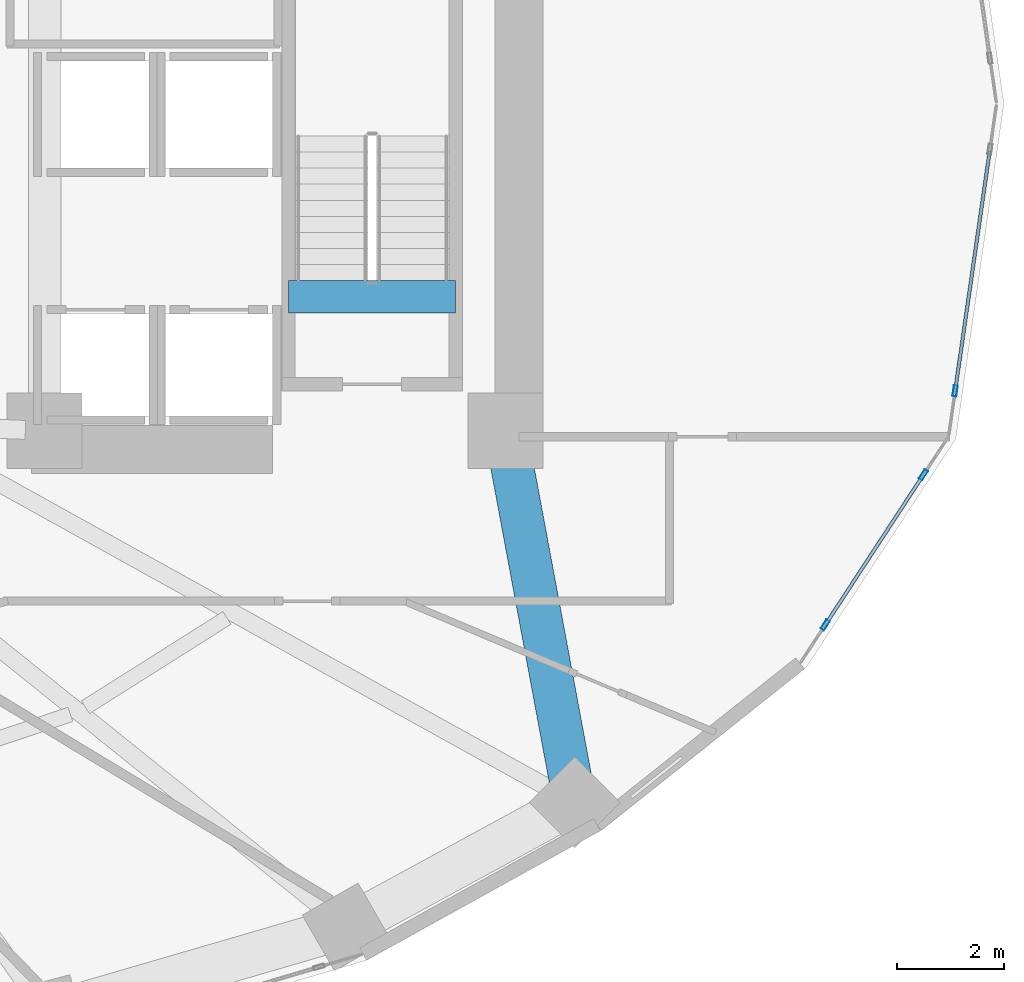
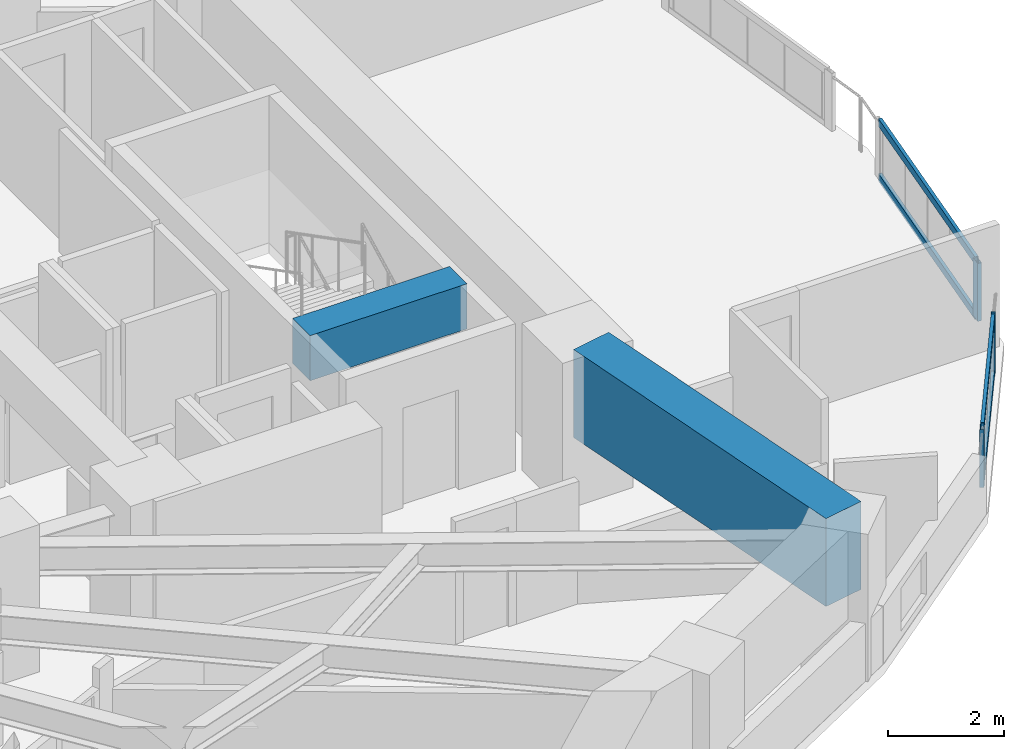
# One storey, part 7 of 22: 7 members, 2 beams, 2 elements without a shape of their own.
"""IFC4 building model written with IfcOpenShell, lengths in metres."""

from ifc_helpers import new_model, si_unit, direction, frame, origin, origin_2d, place, context, subcontext, project, spatial, rectangle, hollow_rectangle, extrude, material, layer, layer_set, material_profile, profile_set, type_object, element, aggregate, save


model = new_model("IFC4")

# Units and contexts
model_context = context("Model", 3, precision=1e-05, world=origin(), true_north=direction((0.0, 1.0)))
body_context = subcontext(model_context, "Body", "Model", "MODEL_VIEW")
ifc_project = project(units=[si_unit("LENGTHUNIT", "METRE"), si_unit("AREAUNIT", "SQUARE_METRE"), si_unit("VOLUMEUNIT", "CUBIC_METRE"), si_unit("PLANEANGLEUNIT", "RADIAN"), si_unit("MASSUNIT", "GRAM", prefix="KILO")], contexts=[model_context])

# Site, building, storey
site_placement = place(None, origin())
site = spatial("IfcSite", under=ifc_project, at=site_placement, CompositionType="ELEMENT")
building_placement = place(site_placement, origin())
building = spatial("IfcBuilding", under=site, at=building_placement, Name="Solvane Sanctuary Tower", CompositionType="ELEMENT")
storey_placement = place(building_placement, frame((0.0, 0.0, 43.10009765625)))
storey = spatial("IfcBuildingStorey", under=building, at=storey_placement, Name="L12", CompositionType="ELEMENT", Elevation=43.10009765625)

# Beams
ifc_material_1 = material(Name="Concrete C70/85", Category="concrete")
ifc_material_profile_1 = material_profile(ifc_material_1, rectangle(XDim=0.60009765625, YDim=0.949951171875, at=origin_2d()), Name="RC600X950")
ifc_profile_set_1 = profile_set([ifc_material_profile_1], Name="Concrete C70/85")
beam_type_1 = type_object("IfcBeamType", Name="Beam B-COUPLE RC600X950", PredefinedType="LINTEL", material=ifc_profile_set_1)
beam_1_placement = place(storey_placement, frame((44.64990234375, 19.399169921875, 2.625), z_axis=(1.0, 0.0, 0.0), x_axis=(0.0, 1.0, 0.0)))
element("IfcBeam", 1, at=beam_1_placement, inside=storey, type_object=beam_type_1, Name="L12 ST-2 Stair Floor Landing Trimmer", PredefinedType="LINTEL", context=body_context, shape_type="SweptSolid", body=[
    extrude(rectangle(XDim=0.60009765625, YDim=0.949951171875, at=origin_2d()), origin(), (0.0, 0.0, 1.0), 3.1201171875),
])
ifc_material_profile_2 = material_profile(ifc_material_1, rectangle(XDim=0.800048828125, YDim=1.85009765625, at=origin_2d()), Name="RC800X1850")
ifc_profile_set_2 = profile_set([ifc_material_profile_2], Name="Concrete C70/85")
beam_type_2 = type_object("IfcBeamType", Name="Beam B-XFER-BLK RC800X1850", PredefinedType="BEAM", material=ifc_profile_set_2)
beam_2_placement = place(storey_placement, frame((49.99169921875, 9.964599609375, 2.1748046875), z_axis=(-0.183103823442, 0.983093581426, 0.0), x_axis=(-0.983093581426, -0.183103823442, 0.0)))
element("IfcBeam", 2, at=beam_2_placement, inside=storey, type_object=beam_type_2, Name="L12 Perimeter Step Transfer Ring NTC14-CE2", PredefinedType="BEAM", context=body_context, shape_type="SweptSolid", body=[
    extrude(rectangle(XDim=0.800048828125, YDim=1.85009765625, at=origin_2d()), origin(), (0.0, 0.0, 1.0), 6.69482421875),
])

# Curtain wall, members
ifc_material_2 = material(Name="Anodised Aluminium 6063-T6", Category="aluminium")
ifc_layer = layer(ifc_material_2, 0.2099609375, Name="Anodised Aluminium 6063-T6")
ifc_layer_set = layer_set([ifc_layer], Name="Anodised Aluminium 6063-T6")
curtain_wall_type = type_object("IfcCurtainWallType", Name="Curtain Wall CW-PORTAL", PredefinedType="NOTDEFINED", material=ifc_layer_set)
curtain_wall_1_placement = place(storey_placement, origin())
curtain_wall_1 = element("IfcCurtainWall", 3, at=curtain_wall_1_placement, inside=storey, type_object=curtain_wall_type, Name="L12 CW-PORTAL Facade Run 22", PredefinedType="NOTDEFINED")
ifc_material_profile_3 = material_profile(ifc_material_2, hollow_rectangle(XDim=0.074951171875, YDim=0.199951171875, WallThickness=0.00390625, at=origin_2d()), Name="ALU200X75X4")
ifc_profile_set_3 = profile_set([ifc_material_profile_3], Name="Anodised Aluminium 6063-T6")
member_type_1 = type_object("IfcMemberType", Name="Member M-CW-MUL-1 ALU200X75X4", PredefinedType="MULLION", material=ifc_profile_set_3)
member_1_placement = place(storey_placement, frame((54.663330078125, 13.2763671875, 0.0), z_axis=(0.0, 0.0, 1.0), x_axis=(-0.836673521159, 0.547701943571, 0.0)))
member_1 = element("IfcMember", 4, at=member_1_placement, type_object=member_type_1, Name="CW-PORTAL mullion 1", PredefinedType="MULLION", context=body_context, shape_type="SweptSolid", body=[
    extrude(hollow_rectangle(XDim=0.074951171875, YDim=0.199951171875, WallThickness=0.00390625, at=origin_2d()), origin(), (0.0, 0.0, 1.0), 1.219970703125),
])
member_2_placement = place(storey_placement, frame((56.496826171875, 16.0771484375, 0.0), z_axis=(0.0, 0.0, 1.0), x_axis=(-0.836673521159, 0.547701943571, 0.0)))
member_2 = element("IfcMember", 5, at=member_2_placement, type_object=member_type_1, Name="CW-PORTAL mullion 2", PredefinedType="MULLION", context=body_context, shape_type="SweptSolid", body=[
    extrude(hollow_rectangle(XDim=0.074951171875, YDim=0.199951171875, WallThickness=0.00390625, at=origin_2d()), origin(), (0.0, 0.0, 1.0), 1.219970703125),
])

# Curtain wall, member
curtain_wall_2_placement = place(storey_placement, origin())
curtain_wall_2 = element("IfcCurtainWall", 6, at=curtain_wall_2_placement, inside=storey, type_object=curtain_wall_type, Name="L12 CW-PORTAL Facade Run 23", PredefinedType="NOTDEFINED")
member_3_placement = place(storey_placement, frame((57.088623046875, 17.643310546875, 0.0), z_axis=(0.0, 0.0, 1.0), x_axis=(-0.989794236162, 0.142503929979, 0.0)))
member_3 = element("IfcMember", 7, at=member_3_placement, type_object=member_type_1, Name="CW-PORTAL mullion 1", PredefinedType="MULLION", context=body_context, shape_type="SweptSolid", body=[
    extrude(hollow_rectangle(XDim=0.074951171875, YDim=0.199951171875, WallThickness=0.00390625, at=origin_2d()), origin(), (0.0, 0.0, 1.0), 1.219970703125),
])

# Member
ifc_material_profile_4 = material_profile(ifc_material_2, hollow_rectangle(XDim=0.06494140625, YDim=0.159912109375, WallThickness=0.00341796875, at=origin_2d()), Name="ALU160X65X3.5")
ifc_profile_set_4 = profile_set([ifc_material_profile_4], Name="Anodised Aluminium 6063-T6")
member_type_2 = type_object("IfcMemberType", Name="Member M-CW-TRN-1 ALU160X65X3.5", PredefinedType="USERDEFINED", material=ifc_profile_set_4)
member_4_placement = place(storey_placement, frame((54.68408203125, 13.307861328125, 0.032470703125), z_axis=(0.547673418751, 0.836692193338, 0.0), x_axis=(-0.836692193338, 0.547673418751, 0.0)))
member_4 = element("IfcMember", 8, at=member_4_placement, type_object=member_type_2, Name="CW-PORTAL transom 1.1", ObjectType="TRANSOM", PredefinedType="USERDEFINED", context=body_context, shape_type="SweptSolid", body=[
    extrude(hollow_rectangle(XDim=0.06494140625, YDim=0.159912109375, WallThickness=0.00341796875, at=origin_2d()), origin(), (0.0, 0.0, 1.0), 3.2724609375),
])

member_5_placement = place(storey_placement, frame((54.68408203125, 13.307861328125, 1.1875), z_axis=(0.547673418751, 0.836692193338, 0.0), x_axis=(-0.836692193338, 0.547673418751, 0.0)))
member_5 = element("IfcMember", 9, at=member_5_placement, type_object=member_type_2, Name="CW-PORTAL transom 1.2", ObjectType="TRANSOM", PredefinedType="USERDEFINED", context=body_context, shape_type="SweptSolid", body=[
    extrude(hollow_rectangle(XDim=0.06494140625, YDim=0.159912109375, WallThickness=0.00341796875, at=origin_2d()), origin(), (0.0, 0.0, 1.0), 3.2724609375),
])

aggregate(curtain_wall_1, [member_1, member_2, member_4, member_5])

member_6_placement = place(storey_placement, frame((57.093994140625, 17.680419921875, 0.032470703125), z_axis=(0.14252000847, 0.989791921156, 0.0), x_axis=(-0.989791921156, 0.14252000847, 0.0)))
member_6 = element("IfcMember", 10, at=member_6_placement, type_object=member_type_2, Name="CW-PORTAL transom 1.1", ObjectType="TRANSOM", PredefinedType="USERDEFINED", context=body_context, shape_type="SweptSolid", body=[
    extrude(hollow_rectangle(XDim=0.06494140625, YDim=0.159912109375, WallThickness=0.00341796875, at=origin_2d()), origin(), (0.0, 0.0, 1.0), 4.4794921875),
])

member_7_placement = place(storey_placement, frame((57.093994140625, 17.680419921875, 1.1875), z_axis=(0.14252000847, 0.989791921156, 0.0), x_axis=(-0.989791921156, 0.14252000847, 0.0)))
member_7 = element("IfcMember", 11, at=member_7_placement, type_object=member_type_2, Name="CW-PORTAL transom 1.2", ObjectType="TRANSOM", PredefinedType="USERDEFINED", context=body_context, shape_type="SweptSolid", body=[
    extrude(hollow_rectangle(XDim=0.06494140625, YDim=0.159912109375, WallThickness=0.00341796875, at=origin_2d()), origin(), (0.0, 0.0, 1.0), 4.4794921875),
])

aggregate(curtain_wall_2, [member_3, member_6, member_7])

save(model, "model.ifc")
